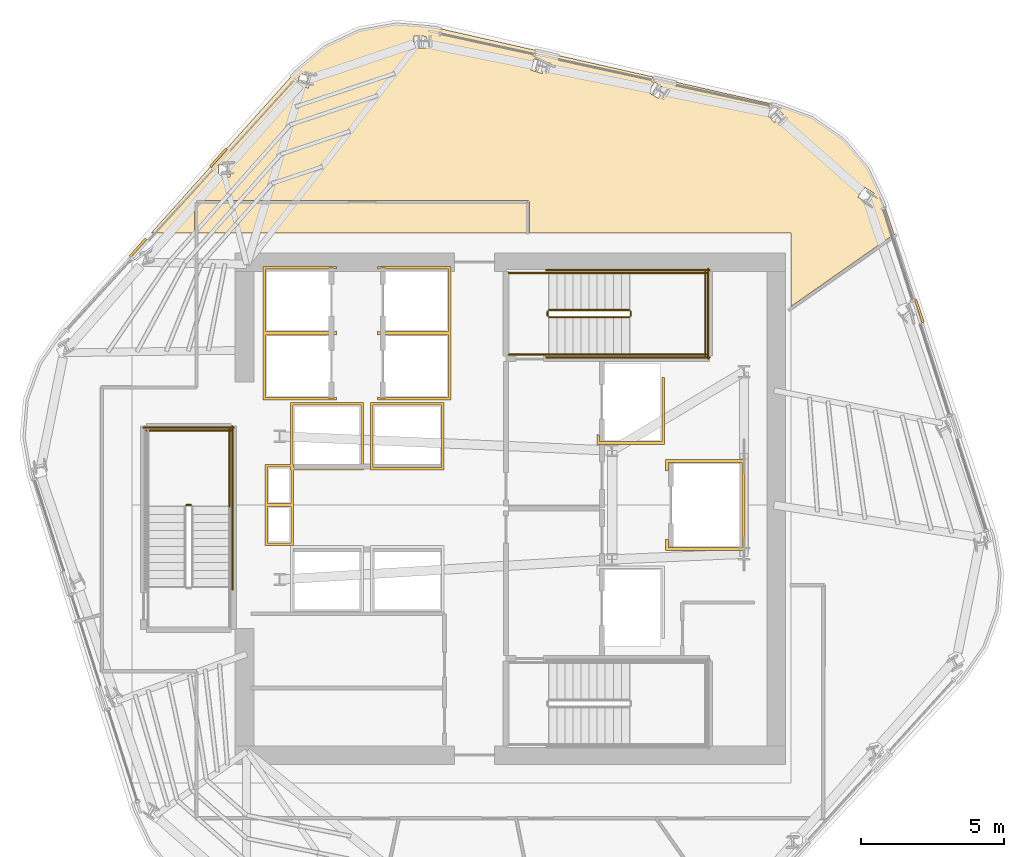
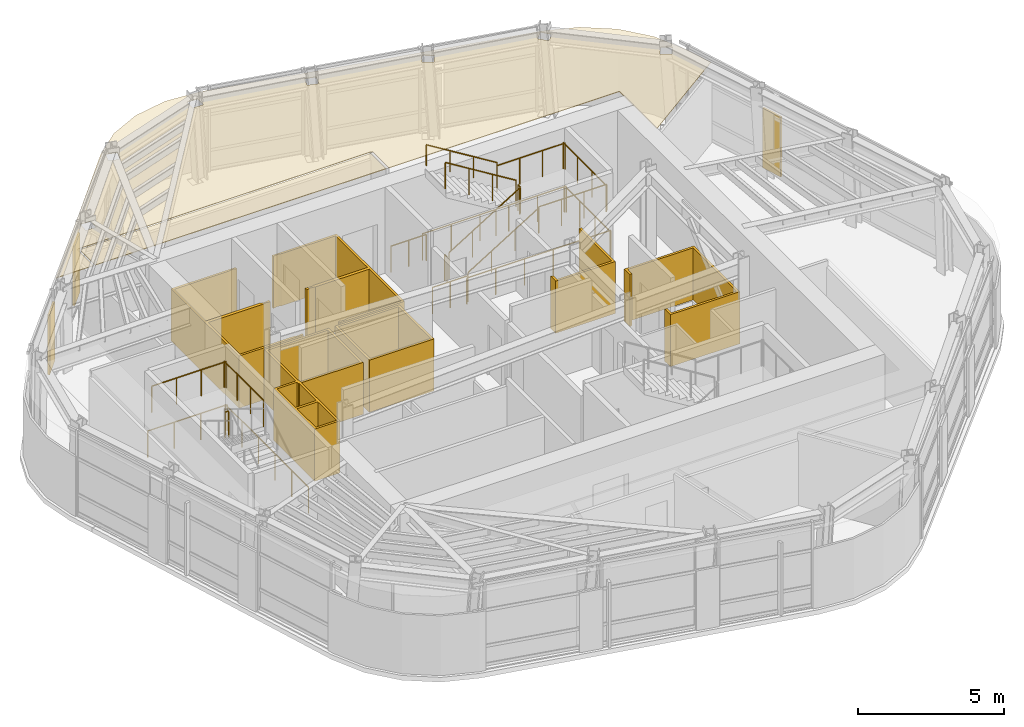
# One storey, part 12 of 13: 19 railings, 11 coverings.
"""IFC4 building model written with IfcOpenShell, lengths in metres."""

from ifc_helpers import new_model, si_unit, direction, frame, origin, origin_2d, place, context, subcontext, project, spatial, polyline, circle, outline, extrude, material, layer, layer_set, type_object, element, save


model = new_model("IFC4")

# Units and contexts
model_context = context("Model", 3, precision=1e-05, world=origin(), true_north=direction((0.0, 1.0)))
body_context = subcontext(model_context, "Body", "Model", "MODEL_VIEW")
ifc_project = project(units=[si_unit("LENGTHUNIT", "METRE"), si_unit("AREAUNIT", "SQUARE_METRE"), si_unit("VOLUMEUNIT", "CUBIC_METRE"), si_unit("PLANEANGLEUNIT", "RADIAN"), si_unit("MASSUNIT", "GRAM", prefix="KILO")], contexts=[model_context])

# Site, building, storey
site_placement = place(None, origin())
site = spatial("IfcSite", under=ifc_project, at=site_placement, CompositionType="ELEMENT")
building_placement = place(site_placement, origin())
building = spatial("IfcBuilding", under=site, at=building_placement, Name="Valkerne Bourse Tower", CompositionType="ELEMENT")
storey_placement = place(building_placement, frame((0.0, 0.0, 228.39990234375)))
storey = spatial("IfcBuildingStorey", under=building, at=storey_placement, Name="L58", CompositionType="ELEMENT", Elevation=228.39990234375)

# Coverings
ifc_material_1 = material(Name="Mineral Fiber Acoustic Ceiling Tile", Category="acoustic")
ifc_layer_1 = layer(ifc_material_1, 0.02490234375)
ifc_layer_set_1 = layer_set([ifc_layer_1], Name="Mineral Fiber Acoustic Ceiling Tile")
covering_type_1 = type_object("IfcCoveringType", Name="COV-CEIL-ACT", PredefinedType="CEILING", material=ifc_layer_set_1)
covering_1_placement = place(storey_placement, frame((0.0, 0.0, 3.25)))
element("IfcCovering", 1, at=covering_1_placement, inside=storey, type_object=covering_type_1, Name="L58 Suspended Ceiling 09", PredefinedType="CEILING", context=body_context, shape_type="SweptSolid", body=[
    extrude(outline(polyline([(39.311279296875, 42.12548828125), (40.325927734375, 42.983154296875), (41.52001953125, 43.544921875), (42.818603515625, 43.778564453125), (44.142333984375, 43.66748046875), (56.074951171875, 40.96240234375), (57.326171875, 40.511962890625), (58.40966796875, 39.7587890625), (59.261474609375, 38.7509765625), (59.827392578125, 37.5478515625), (60.18896484375, 36.447021484375), (56.60009765625, 33.93408203125), (56.60009765625, 36.5), (47.468994140625, 36.5), (47.468994140625, 37.564697265625), (47.447021484375, 37.61083984375), (47.404541015625, 37.62890625), (35.83349609375, 37.627197265625), (35.794677734375, 37.601806640625), (35.781005859375, 37.560791015625), (35.781005859375, 36.5), (34.276611328125, 36.5), (39.311279296875, 42.12548828125)]), holes=[polyline([(37.01708984375, 38.43896484375), (37.03125, 38.852783203125), (36.6201171875, 38.86767578125), (36.618408203125, 38.8662109375), (36.60400390625, 38.452392578125), (37.015380859375, 38.4375), (37.01708984375, 38.43896484375)]), polyline([(39.748779296875, 41.548583984375), (39.8671875, 41.9453125), (39.473388671875, 42.064208984375), (39.47119140625, 42.06298828125), (39.352783203125, 41.66650390625), (39.74658203125, 41.547607421875), (39.748779296875, 41.548583984375)]), polyline([(43.859619140625, 43.354736328125), (43.4462890625, 43.3662109375), (43.444091796875, 43.36572265625), (43.432861328125, 42.9541015625), (43.84619140625, 42.942626953125), (43.8486328125, 42.943115234375), (43.859619140625, 43.354736328125)]), polyline([(59.496337890625, 37.878173828125), (59.14599609375, 38.09326171875), (58.9287109375, 37.740478515625), (58.930419921875, 37.738525390625), (59.280517578125, 37.523681640625), (59.497802734375, 37.87646484375), (59.496337890625, 37.878173828125)]), polyline([(56.03662109375, 40.9208984375), (56.03466796875, 40.922119140625), (55.73486328125, 40.6396484375), (56.01806640625, 40.33837890625), (56.02001953125, 40.337158203125), (56.31982421875, 40.61962890625), (56.03662109375, 40.9208984375)]), polyline([(51.835205078125, 41.755126953125), (51.833251953125, 41.756103515625), (51.61474609375, 41.40673828125), (51.96533203125, 41.187255859375), (51.967529296875, 41.1865234375), (52.185791015625, 41.53564453125), (51.835205078125, 41.755126953125)]), polyline([(48.030517578125, 42.452392578125), (47.633544921875, 42.568603515625), (47.63134765625, 42.568603515625), (47.51611328125, 42.17333984375), (47.9130859375, 42.05712890625), (47.915283203125, 42.056884765625), (48.030517578125, 42.452392578125)])]), origin(), (0.0, 0.0, 1.0), 0.025146484375),
])
ifc_material_2 = material(Name="Bronze Anodised Aluminium AA 6063-T6", Category="aluminium")
ifc_layer_2 = layer(ifc_material_2, 0.030029296875)
ifc_layer_set_2 = layer_set([ifc_layer_2], Name="Bronze Anodised Aluminium AA 6063-T6")
covering_type_2 = type_object("IfcCoveringType", Name="COV-CEIL-METAL", PredefinedType="CEILING", material=ifc_layer_set_2)
covering_2_placement = place(storey_placement, frame((0.0, 0.0, 3.25)))
element("IfcCovering", 2, at=covering_2_placement, inside=storey, type_object=covering_type_2, Name="L58 Suspended Ceiling 03", PredefinedType="CEILING", context=body_context, shape_type="SweptSolid", body=[
    extrude(outline(polyline([(35.85400390625, 37.555908203125), (47.39599609375, 37.555908203125), (47.39599609375, 36.5), (35.85400390625, 36.5), (35.85400390625, 37.555908203125)])), origin(), (0.0, 0.0, 1.0), 0.025146484375),
])
ifc_layer_3 = layer(ifc_material_2, 0.06005859375)
ifc_layer_set_3 = layer_set([ifc_layer_3], Name="Bronze Anodised Aluminium AA 6063-T6")
covering_type_3 = type_object("IfcCoveringType", Name="COV-CRN-ALUM", PredefinedType="CLADDING", material=ifc_layer_set_3)
covering_3_placement = place(storey_placement, origin())
element("IfcCovering", 3, at=covering_3_placement, inside=storey, type_object=covering_type_3, Name="L58 Wind-Shaped Corner Aluminium Cladding 11", PredefinedType="CLADDING", context=body_context, shape_type="SweptSolid", body=[
    extrude(outline(polyline([(34.0546875, 36.318115234375), (34.11376953125, 36.26416015625), (33.553466796875, 35.63818359375), (33.494384765625, 35.692138671875), (34.0546875, 36.318115234375)])), origin(), (0.0, 0.0, 1.0), 2.5),
])
covering_4_placement = place(storey_placement, origin())
element("IfcCovering", 4, at=covering_4_placement, inside=storey, type_object=covering_type_3, Name="L58 Wind-Shaped Corner Aluminium Cladding 12", PredefinedType="CLADDING", context=body_context, shape_type="SweptSolid", body=[
    extrude(outline(polyline([(36.863525390625, 39.456787109375), (36.9228515625, 39.40283203125), (36.362548828125, 38.77685546875), (36.303466796875, 38.830810546875), (36.863525390625, 39.456787109375)])), origin(), (0.0, 0.0, 1.0), 2.5),
])
covering_5_placement = place(storey_placement, origin())
element("IfcCovering", 5, at=covering_5_placement, inside=storey, type_object=covering_type_3, Name="L58 Wind-Shaped Corner Aluminium Cladding 17", PredefinedType="CLADDING", context=body_context, shape_type="SweptSolid", body=[
    extrude(outline(polyline([(61.2421875, 33.37890625), (61.166015625, 33.3544921875), (60.904052734375, 34.152587890625), (60.98046875, 34.177001953125), (61.2421875, 33.37890625)])), origin(), (0.0, 0.0, 1.0), 2.5),
])
ifc_material_3 = material(Name="Gypsum Shaftwall Liner Board", Category="gypsum")
ifc_layer_4 = layer(ifc_material_3, 0.080078125)
ifc_layer_set_4 = layer_set([ifc_layer_4], Name="Gypsum Shaftwall Liner Board")
covering_type_4 = type_object("IfcCoveringType", Name="COV-SHF-CLAD", PredefinedType="CLADDING", material=ifc_layer_set_4)
covering_6_placement = place(storey_placement, origin())
element("IfcCovering", 6, at=covering_6_placement, inside=storey, type_object=covering_type_4, Name="L58 Hoistway & Riser Shaftwall Liner 03", PredefinedType="CLADDING", context=body_context, shape_type="SweptSolid", body=[
    extrude(outline(polyline([(38.239990234375, 28.409912109375), (39.1201171875, 28.409912109375), (39.1201171875, 30.580078125), (41.679931640625, 30.580078125), (41.679931640625, 28.219970703125), (39.239990234375, 28.219970703125), (39.239990234375, 27.0400390625), (39.239990234375, 26.9599609375), (39.239990234375, 25.590087890625), (38.239990234375, 25.590087890625), (38.239990234375, 26.9599609375), (38.239990234375, 27.0400390625), (38.239990234375, 28.409912109375)]), holes=[polyline([(38.330078125, 26.949951171875), (38.330078125, 25.679931640625), (39.14990234375, 25.679931640625), (39.14990234375, 26.949951171875), (38.330078125, 26.949951171875)]), polyline([(39.2099609375, 30.489990234375), (39.2099609375, 28.409912109375), (39.239990234375, 28.409912109375), (39.239990234375, 28.31005859375), (41.590087890625, 28.31005859375), (41.590087890625, 30.489990234375), (39.2099609375, 30.489990234375)]), polyline([(38.330078125, 27.050048828125), (39.14990234375, 27.050048828125), (39.14990234375, 28.219970703125), (39.1201171875, 28.219970703125), (39.1201171875, 28.320068359375), (38.330078125, 28.320068359375), (38.330078125, 27.050048828125)])]), origin(), (0.0, 0.0, 1.0), 2.18017578125),
])
covering_7_placement = place(storey_placement, origin())
element("IfcCovering", 7, at=covering_7_placement, inside=storey, type_object=covering_type_4, Name="L58 Hoistway & Riser Shaftwall Liner 04", PredefinedType="CLADDING", context=body_context, shape_type="SweptSolid", body=[
    extrude(outline(polyline([(38.169921875, 35.330078125), (40.72998046875, 35.330078125), (40.72998046875, 35.232177734375), (40.72216796875, 35.235595703125), (40.6806640625, 35.25048828125), (40.6376953125, 35.261474609375), (40.593994140625, 35.267822265625), (40.550048828125, 35.27001953125), (40.505859375, 35.267822265625), (40.462158203125, 35.261474609375), (40.41943359375, 35.25048828125), (40.3896484375, 35.239990234375), (38.260009765625, 35.239990234375), (38.260009765625, 33.06005859375), (40.3896484375, 33.06005859375), (40.41943359375, 33.04931640625), (40.462158203125, 33.03857421875), (40.505859375, 33.0322265625), (40.550048828125, 33.030029296875), (40.593994140625, 33.0322265625), (40.6376953125, 33.03857421875), (40.6806640625, 33.04931640625), (40.72216796875, 33.064208984375), (40.72998046875, 33.06787109375), (40.72998046875, 33.030029296875), (40.72998046875, 32.969970703125), (40.72998046875, 32.93212890625), (40.72216796875, 32.935791015625), (40.6806640625, 32.95068359375), (40.6376953125, 32.96142578125), (40.593994140625, 32.9677734375), (40.550048828125, 32.969970703125), (40.505859375, 32.9677734375), (40.462158203125, 32.96142578125), (40.41943359375, 32.95068359375), (40.3896484375, 32.93994140625), (38.260009765625, 32.93994140625), (38.260009765625, 30.760009765625), (40.3896484375, 30.760009765625), (40.41943359375, 30.74951171875), (40.462158203125, 30.738525390625), (40.505859375, 30.732177734375), (40.550048828125, 30.72998046875), (40.593994140625, 30.732177734375), (40.6376953125, 30.738525390625), (40.6806640625, 30.74951171875), (40.72216796875, 30.764404296875), (40.72998046875, 30.767822265625), (40.72998046875, 30.669921875), (38.169921875, 30.669921875), (38.169921875, 32.969970703125), (38.169921875, 33.030029296875), (38.169921875, 35.330078125)])), origin(), (0.0, 0.0, 1.0), 2.18017578125),
])
covering_8_placement = place(storey_placement, origin())
element("IfcCovering", 8, at=covering_8_placement, inside=storey, type_object=covering_type_4, Name="L58 Hoistway & Riser Shaftwall Liner 06", PredefinedType="CLADDING", context=body_context, shape_type="SweptSolid", body=[
    extrude(outline(polyline([(54.97998046875, 25.419921875), (52.219970703125, 25.419921875), (52.219970703125, 25.81787109375), (52.227783203125, 25.814208984375), (52.269287109375, 25.79931640625), (52.31005859375, 25.789306640625), (52.31005859375, 25.510009765625), (54.889892578125, 25.510009765625), (54.889892578125, 28.489990234375), (52.31005859375, 28.489990234375), (52.31005859375, 28.210693359375), (52.269287109375, 28.20068359375), (52.227783203125, 28.185791015625), (52.219970703125, 28.18212890625), (52.219970703125, 28.580078125), (54.97998046875, 28.580078125), (54.97998046875, 25.419921875)])), origin(), (0.0, 0.0, 1.0), 2.18017578125),
])
covering_9_placement = place(storey_placement, origin())
element("IfcCovering", 9, at=covering_9_placement, inside=storey, type_object=covering_type_4, Name="L58 Hoistway & Riser Shaftwall Liner 07", PredefinedType="CLADDING", context=body_context, shape_type="SweptSolid", body=[
    extrude(outline(polyline([(44.47998046875, 28.219970703125), (41.919921875, 28.219970703125), (41.919921875, 30.580078125), (44.47998046875, 30.580078125), (44.47998046875, 28.219970703125)]), holes=[polyline([(42.010009765625, 30.489990234375), (42.010009765625, 28.31005859375), (44.389892578125, 28.31005859375), (44.389892578125, 30.489990234375), (42.010009765625, 30.489990234375)])]), origin(), (0.0, 0.0, 1.0), 2.18017578125),
])
covering_10_placement = place(storey_placement, origin())
element("IfcCovering", 10, at=covering_10_placement, inside=storey, type_object=covering_type_4, Name="L58 Hoistway & Riser Shaftwall Liner 08", PredefinedType="CLADDING", context=body_context, shape_type="SweptSolid", body=[
    extrude(outline(polyline([(49.820068359375, 29.1201171875), (49.820068359375, 29.468017578125), (49.827880859375, 29.46435546875), (49.869384765625, 29.449462890625), (49.909912109375, 29.439208984375), (49.909912109375, 29.2099609375), (52.090087890625, 29.2099609375), (52.090087890625, 31.449951171875), (52.179931640625, 31.449951171875), (52.179931640625, 29.1201171875), (49.820068359375, 29.1201171875)])), origin(), (0.0, 0.0, 1.0), 2.18017578125),
])
covering_11_placement = place(storey_placement, origin())
element("IfcCovering", 11, at=covering_11_placement, inside=storey, type_object=covering_type_4, Name="L58 Hoistway & Riser Shaftwall Liner 09", PredefinedType="CLADDING", context=body_context, shape_type="SweptSolid", body=[
    extrude(outline(polyline([(42.169921875, 33.06787109375), (42.177734375, 33.064208984375), (42.219482421875, 33.04931640625), (42.26220703125, 33.03857421875), (42.305908203125, 33.0322265625), (42.35009765625, 33.030029296875), (42.39404296875, 33.0322265625), (42.437744140625, 33.03857421875), (42.480712890625, 33.04931640625), (42.51025390625, 33.06005859375), (44.639892578125, 33.06005859375), (44.639892578125, 35.239990234375), (42.51025390625, 35.239990234375), (42.480712890625, 35.25048828125), (42.437744140625, 35.261474609375), (42.39404296875, 35.267822265625), (42.35009765625, 35.27001953125), (42.305908203125, 35.267822265625), (42.26220703125, 35.261474609375), (42.219482421875, 35.25048828125), (42.177734375, 35.235595703125), (42.169921875, 35.232177734375), (42.169921875, 35.330078125), (44.72998046875, 35.330078125), (44.72998046875, 33.030029296875), (44.72998046875, 32.969970703125), (44.72998046875, 30.669921875), (42.169921875, 30.669921875), (42.169921875, 30.767822265625), (42.177734375, 30.764404296875), (42.219482421875, 30.74951171875), (42.26220703125, 30.738525390625), (42.305908203125, 30.732177734375), (42.35009765625, 30.72998046875), (42.39404296875, 30.732177734375), (42.437744140625, 30.738525390625), (42.480712890625, 30.74951171875), (42.51025390625, 30.760009765625), (44.639892578125, 30.760009765625), (44.639892578125, 32.93994140625), (42.51025390625, 32.93994140625), (42.480712890625, 32.95068359375), (42.437744140625, 32.96142578125), (42.39404296875, 32.9677734375), (42.35009765625, 32.969970703125), (42.305908203125, 32.9677734375), (42.26220703125, 32.96142578125), (42.219482421875, 32.95068359375), (42.177734375, 32.935791015625), (42.169921875, 32.93212890625), (42.169921875, 32.969970703125), (42.169921875, 33.030029296875), (42.169921875, 33.06787109375)])), origin(), (0.0, 0.0, 1.0), 2.18017578125),
])

# Railings
ifc_material_4 = material(Name="Galvanised Painted Steel", Category="steel")
railing_type_1 = type_object("IfcRailingType", Name="RLG-ST-GUARD-1120", PredefinedType="GUARDRAIL", material=ifc_material_4)
railing_1_placement = place(storey_placement, frame((48.14990234375, 33.550048828125, 0.1728515625)))
element("IfcRailing", 12, at=railing_1_placement, inside=storey, type_object=railing_type_1, Name="L58 ST-2 stair guard 1", PredefinedType="GUARDRAIL", context=body_context, shape_type="SweptSolid", body=[
    extrude(circle(Radius=0.02392578125, at=origin_2d()), frame((0.0, 0.0, 1.09619140625), z_axis=(0.851089632645, 0.0, 0.525020415988), x_axis=(0.0, 1.0, 0.0)), (0.0, 0.0, 1.0), 3.2900390625),
    extrude(circle(Radius=0.02099609375, at=origin_2d()), origin(), (0.0, 0.0, 1.0), 1.072021484375),
    extrude(circle(Radius=0.02099609375, at=origin_2d()), frame((0.933349609375, 0.0, 0.57568359375)), (0.0, 0.0, 1.0), 1.072021484375),
    extrude(circle(Radius=0.02099609375, at=origin_2d()), frame((1.86669921875, 0.0, 1.151611328125)), (0.0, 0.0, 1.0), 1.072021484375),
    extrude(circle(Radius=0.02099609375, at=origin_2d()), frame((2.800048828125, 0.0, 1.727294921875)), (0.0, 0.0, 1.0), 1.072021484375),
])
railing_2_placement = place(storey_placement, frame((51.0, 33.60009765625, 1.900146484375)))
element("IfcRailing", 13, at=railing_2_placement, inside=storey, type_object=railing_type_1, Name="L58 ST-2 stair guard 2", PredefinedType="GUARDRAIL", context=body_context, shape_type="SweptSolid", body=[
    extrude(circle(Radius=0.02392578125, at=origin_2d()), frame((0.0, 0.0, 1.09619140625), z_axis=(0.0, 1.0, 0.0), x_axis=(-1.0, 0.0, 0.0)), (0.0, 0.0, 1.0), 0.14990234375),
    extrude(circle(Radius=0.02099609375, at=origin_2d()), origin(), (0.0, 0.0, 1.0), 1.072021484375),
    extrude(circle(Radius=0.02099609375, at=origin_2d()), frame((0.0, 0.14990234375, 0.0)), (0.0, 0.0, 1.0), 1.072021484375),
])
for number, where, name in (
    (14, (50.949951171875, 32.25, 1.900146484375), "L58 ST-2 stair guard 3"),
    (15, (50.949951171875, 35.10009765625, 1.900146484375), "L58 ST-2 stair guard 4"),
):
    element("IfcRailing", number, at=place(storey_placement, frame(where)), inside=storey, type_object=railing_type_1, Name=name, PredefinedType="GUARDRAIL", context=body_context, shape_type="SweptSolid", body=[
        extrude(circle(Radius=0.02392578125, at=origin_2d()), frame((0.0, 0.0, 1.09619140625), z_axis=(1.0, 0.0, 0.0), x_axis=(0.0, 1.0, 0.0)), (0.0, 0.0, 1.0), 2.699951171875),
        extrude(circle(Radius=0.02099609375, at=origin_2d()), origin(), (0.0, 0.0, 1.0), 1.072021484375),
        extrude(circle(Radius=0.02099609375, at=origin_2d()), frame((0.89990234375, 0.0, 0.0)), (0.0, 0.0, 1.0), 1.072021484375),
        extrude(circle(Radius=0.02099609375, at=origin_2d()), frame((1.800048828125, 0.0, 0.0)), (0.0, 0.0, 1.0), 1.072021484375),
        extrude(circle(Radius=0.02099609375, at=origin_2d()), frame((2.699951171875, 0.0, 0.0)), (0.0, 0.0, 1.0), 1.072021484375),
    ])
railing_3_placement = place(storey_placement, frame((53.60009765625, 32.199951171875, 1.900146484375)))
element("IfcRailing", 16, at=railing_3_placement, inside=storey, type_object=railing_type_1, Name="L58 ST-2 stair guard 5", PredefinedType="GUARDRAIL", context=body_context, shape_type="SweptSolid", body=[
    extrude(circle(Radius=0.02392578125, at=origin_2d()), frame((0.0, 0.0, 1.09619140625), z_axis=(0.0, 1.0, 0.0), x_axis=(-1.0, 0.0, 0.0)), (0.0, 0.0, 1.0), 2.949951171875),
    extrude(circle(Radius=0.02099609375, at=origin_2d()), origin(), (0.0, 0.0, 1.0), 1.072021484375),
    extrude(circle(Radius=0.02099609375, at=origin_2d()), frame((0.0, 0.9833984375, 0.0)), (0.0, 0.0, 1.0), 1.072021484375),
    extrude(circle(Radius=0.02099609375, at=origin_2d()), frame((0.0, 1.966552734375, 0.0)), (0.0, 0.0, 1.0), 1.072021484375),
    extrude(circle(Radius=0.02099609375, at=origin_2d()), frame((0.0, 2.949951171875, 0.0)), (0.0, 0.0, 1.0), 1.072021484375),
])
railing_4_placement = place(storey_placement, frame((50.949951171875, 33.800048828125, 2.07275390625)))
element("IfcRailing", 17, at=railing_4_placement, inside=storey, type_object=railing_type_1, Name="L58 ST-2 stair guard 6", PredefinedType="GUARDRAIL", context=body_context, shape_type="SweptSolid", body=[
    extrude(circle(Radius=0.02392578125, at=origin_2d()), frame((0.0, 0.0, 1.09619140625), z_axis=(-0.851089632645, 0.0, 0.525020415988), x_axis=(0.0, -1.0, 0.0)), (0.0, 0.0, 1.0), 3.2900390625),
    extrude(circle(Radius=0.02099609375, at=origin_2d()), origin(), (0.0, 0.0, 1.0), 1.072021484375),
    extrude(circle(Radius=0.02099609375, at=origin_2d()), frame((-0.933349609375, 0.0, 0.57568359375)), (0.0, 0.0, 1.0), 1.072021484375),
    extrude(circle(Radius=0.02099609375, at=origin_2d()), frame((-1.86669921875, 0.0, 1.151611328125)), (0.0, 0.0, 1.0), 1.072021484375),
    extrude(circle(Radius=0.02099609375, at=origin_2d()), frame((-2.800048828125, 0.0, 1.727294921875)), (0.0, 0.0, 1.0), 1.072021484375),
])
railing_5_placement = place(storey_placement, frame((48.10009765625, 33.60009765625, 0.0)))
element("IfcRailing", 18, at=railing_5_placement, inside=storey, type_object=railing_type_1, Name="L58 ST-2 stair guard 7", PredefinedType="GUARDRAIL", context=body_context, shape_type="SweptSolid", body=[
    extrude(circle(Radius=0.02392578125, at=origin_2d()), frame((0.0, 0.0, 1.09619140625), z_axis=(0.0, 1.0, 0.0), x_axis=(-1.0, 0.0, 0.0)), (0.0, 0.0, 1.0), 0.14990234375),
    extrude(circle(Radius=0.02099609375, at=origin_2d()), origin(), (0.0, 0.0, 1.0), 1.072021484375),
    extrude(circle(Radius=0.02099609375, at=origin_2d()), frame((0.0, 0.14990234375, 0.0)), (0.0, 0.0, 1.0), 1.072021484375),
])
for number, where, name in (
    (19, (46.75, 32.25, 0.0), "L58 ST-2 stair guard 8"),
    (20, (46.75, 35.10009765625, 0.0), "L58 ST-2 stair guard 9"),
):
    element("IfcRailing", number, at=place(storey_placement, frame(where)), inside=storey, type_object=railing_type_1, Name=name, PredefinedType="GUARDRAIL", context=body_context, shape_type="SweptSolid", body=[
        extrude(circle(Radius=0.02392578125, at=origin_2d()), frame((0.0, 0.0, 1.09619140625), z_axis=(1.0, 0.0, 0.0), x_axis=(0.0, 1.0, 0.0)), (0.0, 0.0, 1.0), 1.39990234375),
        extrude(circle(Radius=0.02099609375, at=origin_2d()), origin(), (0.0, 0.0, 1.0), 1.072021484375),
        extrude(circle(Radius=0.02099609375, at=origin_2d()), frame((0.699951171875, 0.0, 0.0)), (0.0, 0.0, 1.0), 1.072021484375),
        extrude(circle(Radius=0.02099609375, at=origin_2d()), frame((1.39990234375, 0.0, 0.0)), (0.0, 0.0, 1.0), 1.072021484375),
    ])
for number, where, name in (
    (21, (48.050048828125, 32.14990234375, 0.0), "L58 ST-2 stair guard 10"),
    (22, (48.050048828125, 35.199951171875, 0.0), "L58 ST-2 stair guard 11"),
):
    element("IfcRailing", number, at=place(storey_placement, frame(where)), inside=storey, type_object=railing_type_1, Name=name, PredefinedType="GUARDRAIL", context=body_context, shape_type="SweptSolid", body=[
        extrude(circle(Radius=0.02392578125, at=origin_2d()), frame((0.0, 0.0, 1.09619140625), z_axis=(1.0, 0.0, 0.0), x_axis=(0.0, 1.0, 0.0)), (0.0, 0.0, 1.0), 5.699951171875),
        extrude(circle(Radius=0.02099609375, at=origin_2d()), origin(), (0.0, 0.0, 1.0), 1.072021484375),
        extrude(circle(Radius=0.02099609375, at=origin_2d()), frame((1.139892578125, 0.0, 0.0)), (0.0, 0.0, 1.0), 1.072021484375),
        extrude(circle(Radius=0.02099609375, at=origin_2d()), frame((2.280029296875, 0.0, 0.0)), (0.0, 0.0, 1.0), 1.072021484375),
        extrude(circle(Radius=0.02099609375, at=origin_2d()), frame((3.419921875, 0.0, 0.0)), (0.0, 0.0, 1.0), 1.072021484375),
        extrude(circle(Radius=0.02099609375, at=origin_2d()), frame((4.56005859375, 0.0, 0.0)), (0.0, 0.0, 1.0), 1.072021484375),
        extrude(circle(Radius=0.02099609375, at=origin_2d()), frame((5.699951171875, 0.0, 0.0)), (0.0, 0.0, 1.0), 1.072021484375),
    ])
railing_6_placement = place(storey_placement, frame((53.699951171875, 32.10009765625, 0.0)))
element("IfcRailing", 23, at=railing_6_placement, inside=storey, type_object=railing_type_1, Name="L58 ST-2 stair guard 12", PredefinedType="GUARDRAIL", context=body_context, shape_type="SweptSolid", body=[
    extrude(circle(Radius=0.02392578125, at=origin_2d()), frame((0.0, 0.0, 1.09619140625), z_axis=(0.0, 1.0, 0.0), x_axis=(-1.0, 0.0, 0.0)), (0.0, 0.0, 1.0), 3.14990234375),
    extrude(circle(Radius=0.02099609375, at=origin_2d()), origin(), (0.0, 0.0, 1.0), 1.072021484375),
    extrude(circle(Radius=0.02099609375, at=origin_2d()), frame((0.0, 1.050048828125, 0.0)), (0.0, 0.0, 1.0), 1.072021484375),
    extrude(circle(Radius=0.02099609375, at=origin_2d()), frame((0.0, 2.099853515625, 0.0)), (0.0, 0.0, 1.0), 1.072021484375),
    extrude(circle(Radius=0.02099609375, at=origin_2d()), frame((0.0, 3.14990234375, 0.0)), (0.0, 0.0, 1.0), 1.072021484375),
])
railing_7_placement = place(storey_placement, frame((35.64990234375, 27.0, 1.900146484375)))
element("IfcRailing", 24, at=railing_7_placement, inside=storey, type_object=railing_type_1, Name="L58 ST-3 stair guard 2", PredefinedType="GUARDRAIL", context=body_context, shape_type="SweptSolid", body=[
    extrude(circle(Radius=0.02392578125, at=origin_2d()), frame((0.0, 0.0, 1.09619140625), z_axis=(-1.0, 0.0, 0.0), x_axis=(0.0, -1.0, 0.0)), (0.0, 0.0, 1.0), 0.14990234375),
    extrude(circle(Radius=0.02099609375, at=origin_2d()), origin(), (0.0, 0.0, 1.0), 1.072021484375),
    extrude(circle(Radius=0.02099609375, at=origin_2d()), frame((-0.14990234375, 0.0, 0.0)), (0.0, 0.0, 1.0), 1.072021484375),
])
railing_8_placement = place(storey_placement, frame((37.0, 26.949951171875, 1.900146484375)))
element("IfcRailing", 25, at=railing_8_placement, inside=storey, type_object=railing_type_1, Name="L58 ST-3 stair guard 3", PredefinedType="GUARDRAIL", context=body_context, shape_type="SweptSolid", body=[
    extrude(circle(Radius=0.02392578125, at=origin_2d()), frame((0.0, 0.0, 1.09619140625), z_axis=(0.0, 1.0, 0.0), x_axis=(-1.0, 0.0, 0.0)), (0.0, 0.0, 1.0), 2.699951171875),
    extrude(circle(Radius=0.02099609375, at=origin_2d()), origin(), (0.0, 0.0, 1.0), 1.072021484375),
    extrude(circle(Radius=0.02099609375, at=origin_2d()), frame((0.0, 0.89990234375, 0.0)), (0.0, 0.0, 1.0), 1.072021484375),
    extrude(circle(Radius=0.02099609375, at=origin_2d()), frame((0.0, 1.800048828125, 0.0)), (0.0, 0.0, 1.0), 1.072021484375),
    extrude(circle(Radius=0.02099609375, at=origin_2d()), frame((0.0, 2.699951171875, 0.0)), (0.0, 0.0, 1.0), 1.072021484375),
])
railing_9_placement = place(storey_placement, frame((37.050048828125, 29.60009765625, 1.900146484375)))
element("IfcRailing", 26, at=railing_9_placement, inside=storey, type_object=railing_type_1, Name="L58 ST-3 stair guard 5", PredefinedType="GUARDRAIL", context=body_context, shape_type="SweptSolid", body=[
    extrude(circle(Radius=0.02392578125, at=origin_2d()), frame((0.0, 0.0, 1.09619140625), z_axis=(-1.0, 0.0, 0.0), x_axis=(0.0, -1.0, 0.0)), (0.0, 0.0, 1.0), 2.949951171875),
    extrude(circle(Radius=0.02099609375, at=origin_2d()), origin(), (0.0, 0.0, 1.0), 1.072021484375),
    extrude(circle(Radius=0.02099609375, at=origin_2d()), frame((-0.9833984375, 0.0, 0.0)), (0.0, 0.0, 1.0), 1.072021484375),
    extrude(circle(Radius=0.02099609375, at=origin_2d()), frame((-1.966552734375, 0.0, 0.0)), (0.0, 0.0, 1.0), 1.072021484375),
    extrude(circle(Radius=0.02099609375, at=origin_2d()), frame((-2.949951171875, 0.0, 0.0)), (0.0, 0.0, 1.0), 1.072021484375),
])
railing_10_placement = place(storey_placement, frame((37.10009765625, 24.050048828125, 0.0)))
element("IfcRailing", 27, at=railing_10_placement, inside=storey, type_object=railing_type_1, Name="L58 ST-3 stair guard 10", PredefinedType="GUARDRAIL", context=body_context, shape_type="SweptSolid", body=[
    extrude(circle(Radius=0.02392578125, at=origin_2d()), frame((0.0, 0.0, 1.09619140625), z_axis=(0.0, 1.0, 0.0), x_axis=(-1.0, 0.0, 0.0)), (0.0, 0.0, 1.0), 5.699951171875),
    extrude(circle(Radius=0.02099609375, at=origin_2d()), origin(), (0.0, 0.0, 1.0), 1.072021484375),
    extrude(circle(Radius=0.02099609375, at=origin_2d()), frame((0.0, 1.139892578125, 0.0)), (0.0, 0.0, 1.0), 1.072021484375),
    extrude(circle(Radius=0.02099609375, at=origin_2d()), frame((0.0, 2.280029296875, 0.0)), (0.0, 0.0, 1.0), 1.072021484375),
    extrude(circle(Radius=0.02099609375, at=origin_2d()), frame((0.0, 3.419921875, 0.0)), (0.0, 0.0, 1.0), 1.072021484375),
    extrude(circle(Radius=0.02099609375, at=origin_2d()), frame((0.0, 4.56005859375, 0.0)), (0.0, 0.0, 1.0), 1.072021484375),
    extrude(circle(Radius=0.02099609375, at=origin_2d()), frame((0.0, 5.699951171875, 0.0)), (0.0, 0.0, 1.0), 1.072021484375),
])
railing_11_placement = place(storey_placement, frame((37.14990234375, 29.699951171875, 0.0)))
element("IfcRailing", 28, at=railing_11_placement, inside=storey, type_object=railing_type_1, Name="L58 ST-3 stair guard 12", PredefinedType="GUARDRAIL", context=body_context, shape_type="SweptSolid", body=[
    extrude(circle(Radius=0.02392578125, at=origin_2d()), frame((0.0, 0.0, 1.09619140625), z_axis=(-1.0, 0.0, 0.0), x_axis=(0.0, -1.0, 0.0)), (0.0, 0.0, 1.0), 3.14990234375),
    extrude(circle(Radius=0.02099609375, at=origin_2d()), origin(), (0.0, 0.0, 1.0), 1.072021484375),
    extrude(circle(Radius=0.02099609375, at=origin_2d()), frame((-1.050048828125, 0.0, 0.0)), (0.0, 0.0, 1.0), 1.072021484375),
    extrude(circle(Radius=0.02099609375, at=origin_2d()), frame((-2.099853515625, 0.0, 0.0)), (0.0, 0.0, 1.0), 1.072021484375),
    extrude(circle(Radius=0.02099609375, at=origin_2d()), frame((-3.14990234375, 0.0, 0.0)), (0.0, 0.0, 1.0), 1.072021484375),
])
ifc_material_5 = material(Name="Stainless Steel AISI 316", Category="steel")
railing_type_2 = type_object("IfcRailingType", Name="RLG-ST-HANDRAIL-900", PredefinedType="HANDRAIL", material=ifc_material_5)
railing_12_placement = place(storey_placement, frame((48.14990234375, 32.25, 0.345458984375)))
element("IfcRailing", 29, at=railing_12_placement, inside=storey, type_object=railing_type_2, Name="L58 ST-2 stair handrail 1", PredefinedType="HANDRAIL", context=body_context, shape_type="SweptSolid", body=[
    extrude(circle(Radius=0.02392578125, at=origin_2d()), frame((0.0, 0.0, 0.8759765625), z_axis=(0.851089632645, 0.0, 0.525020415988), x_axis=(0.0, 1.0, 0.0)), (0.0, 0.0, 1.0), 3.2900390625),
    extrude(circle(Radius=0.02099609375, at=origin_2d()), origin(), (0.0, 0.0, 1.0), 0.851806640625),
    extrude(circle(Radius=0.02099609375, at=origin_2d()), frame((0.933349609375, 0.0, 0.57568359375)), (0.0, 0.0, 1.0), 0.851806640625),
    extrude(circle(Radius=0.02099609375, at=origin_2d()), frame((1.86669921875, 0.0, 1.151611328125)), (0.0, 0.0, 1.0), 0.851806640625),
    extrude(circle(Radius=0.02099609375, at=origin_2d()), frame((2.800048828125, 0.0, 1.727294921875)), (0.0, 0.0, 1.0), 0.851806640625),
])
railing_13_placement = place(storey_placement, frame((50.949951171875, 35.10009765625, 2.24560546875)))
element("IfcRailing", 30, at=railing_13_placement, inside=storey, type_object=railing_type_2, Name="L58 ST-2 stair handrail 2", PredefinedType="HANDRAIL", context=body_context, shape_type="SweptSolid", body=[
    extrude(circle(Radius=0.02392578125, at=origin_2d()), frame((0.0, 0.0, 0.8759765625), z_axis=(-0.851089632645, 0.0, 0.525020415988), x_axis=(0.0, -1.0, 0.0)), (0.0, 0.0, 1.0), 3.2900390625),
    extrude(circle(Radius=0.02099609375, at=origin_2d()), origin(), (0.0, 0.0, 1.0), 0.851806640625),
    extrude(circle(Radius=0.02099609375, at=origin_2d()), frame((-0.933349609375, 0.0, 0.57568359375)), (0.0, 0.0, 1.0), 0.851806640625),
    extrude(circle(Radius=0.02099609375, at=origin_2d()), frame((-1.86669921875, 0.0, 1.151611328125)), (0.0, 0.0, 1.0), 0.851806640625),
    extrude(circle(Radius=0.02099609375, at=origin_2d()), frame((-2.800048828125, 0.0, 1.727294921875)), (0.0, 0.0, 1.0), 0.851806640625),
])

save(model, "model.ifc")
